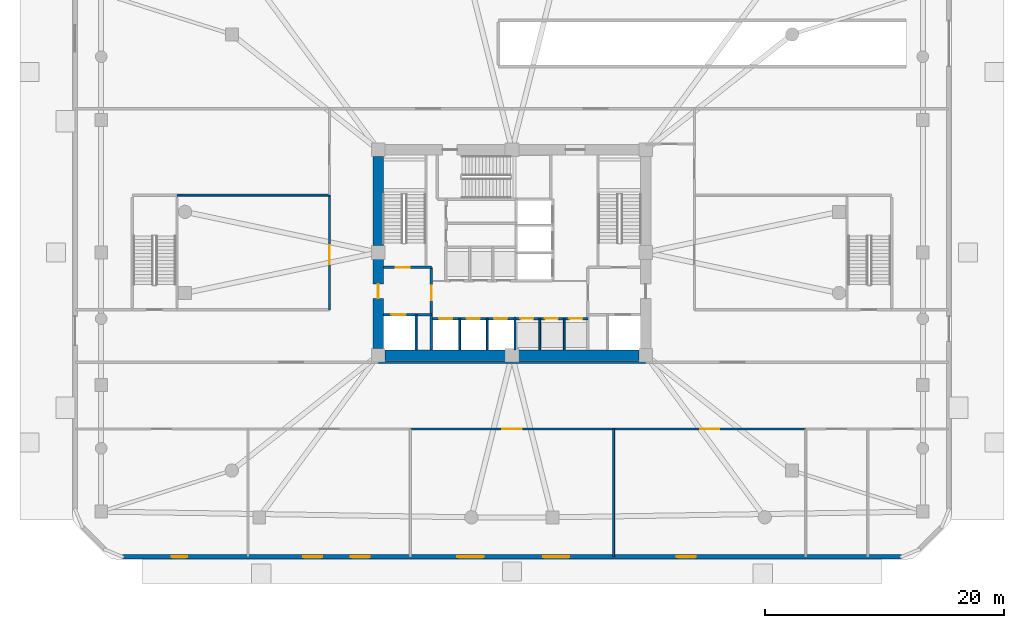
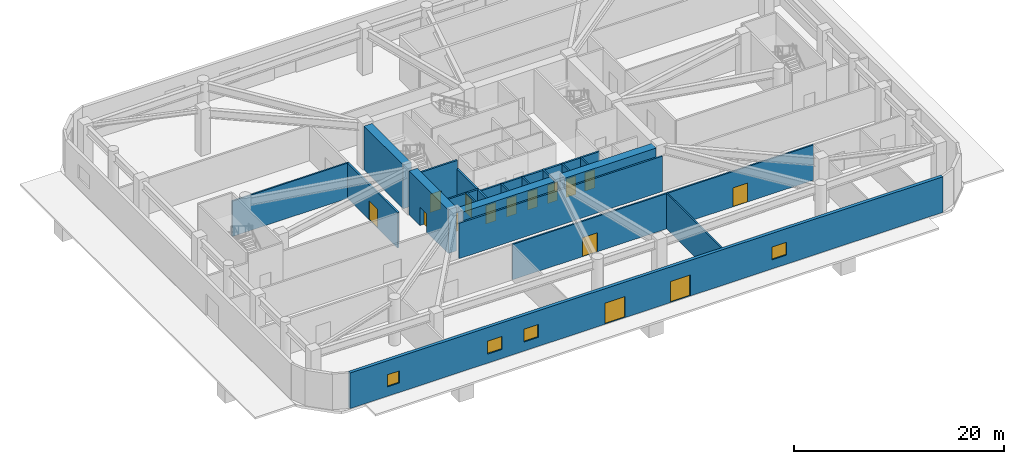
# One storey, part 3 of 9: 22 walls, 15 doors, 4 windows, 19 openings.
"""IFC4 building model written with IfcOpenShell, lengths in metres."""

from ifc_helpers import new_model, si_unit, derived_unit, direction, frame, frame_2d, origin, place, context, subcontext, project, spatial, rectangle, extrude, material, layer, layer_set, type_object, element, fill, save


model = new_model("IFC4")

# Units and contexts
model_context = context("Model", 3, precision=1e-05, world=origin(), true_north=direction((0.0, 1.0)))
body_context = subcontext(model_context, "Body", "Model", "MODEL_VIEW")
ifc_project = project(units=[si_unit("LENGTHUNIT", "METRE"), si_unit("AREAUNIT", "SQUARE_METRE"), si_unit("VOLUMEUNIT", "CUBIC_METRE"), si_unit("PLANEANGLEUNIT", "RADIAN"), si_unit("MASSUNIT", "GRAM", prefix="KILO"), derived_unit("THERMALTRANSMITTANCEUNIT", [(si_unit("POWERUNIT", "WATT"), 1), (si_unit("LENGTHUNIT", "METRE"), -2), (si_unit("THERMODYNAMICTEMPERATUREUNIT", "KELVIN"), -1)])], contexts=[model_context])

# Site, building, storey
site_placement = place(None, origin())
site = spatial("IfcSite", under=ifc_project, at=site_placement, CompositionType="ELEMENT")
building_placement = place(site_placement, origin())
building = spatial("IfcBuilding", under=site, at=building_placement, Name="Koralith Skygarden Medical Center", CompositionType="ELEMENT")
storey_placement = place(building_placement, origin())
storey = spatial("IfcBuildingStorey", under=building, at=storey_placement, Name="L00", CompositionType="ELEMENT", Elevation=0.0)

# Walls
ifc_material_1 = material(Name="Gypsum Board Partition")
ifc_layer_1 = layer(ifc_material_1, 0.14990234375)
ifc_layer_set_1 = layer_set([ifc_layer_1], Name="Gypsum Board Partition")
wall_type_1 = type_object("IfcWallType", Name="Clinical Acoustic Partition 150", PredefinedType="PARTITIONING", material=ifc_layer_set_1)
wall_1_placement = place(storey_placement, frame((45.510009765625, 0.43994140625, 0.0), z_axis=(0.0, 0.0, 1.0), x_axis=(0.0, 1.0, 0.0)))
element("IfcWall", 1, at=wall_1_placement, inside=storey, type_object=wall_type_1, Name="L00 Clinical Acoustic Partition 150 W-L00-SP-3", PredefinedType="PARTITIONING", context=body_context, shape_type="SweptSolid", body=[
    extrude(rectangle(XDim=10.68017578125, YDim=0.14990234375, at=frame_2d((5.340087890625, 0.0))), origin(), (0.0, 0.0, 1.0), 4.110107421875),
])
ifc_layer_2 = layer(ifc_material_1, 0.1650390625)
ifc_layer_set_2 = layer_set([ifc_layer_2], Name="Gypsum Board Partition")
wall_type_2 = type_object("IfcWallType", Name="Clinical Corridor Partition 165", PredefinedType="PARTITIONING", material=ifc_layer_set_2)
wall_2_placement = place(storey_placement, frame((8.949951171875, 30.699951171875, 0.0), z_axis=(0.0, 0.0, 1.0), x_axis=(1.0, 0.0, 0.0)))
element("IfcWall", 2, at=wall_2_placement, inside=storey, type_object=wall_type_2, Name="L00 Clinical Corridor Partition 165 W-L00-W30-IN", PredefinedType="PARTITIONING", context=body_context, shape_type="SweptSolid", body=[
    extrude(rectangle(XDim=12.77001953125, YDim=0.1650390625, at=frame_2d((6.385009765625, 0.0))), origin(), (0.0, 0.0, 1.0), 4.110107421875),
])

# Wall, opening, door
wall_3_placement = place(storey_placement, frame((28.489990234375, 11.1201171875, 0.0), z_axis=(0.0, 0.0, 1.0), x_axis=(1.0, 0.0, 0.0)))
wall_3 = element("IfcWall", 3, at=wall_3_placement, inside=storey, type_object=wall_type_2, Name="L00 Clinical Corridor Partition 165 W-L00-SR-ATR", PredefinedType="PARTITIONING", context=body_context, shape_type="SweptSolid", body=[
    extrude(rectangle(XDim=17.02001953125, YDim=0.1650390625, at=frame_2d((8.510009765625, 0.0))), origin(), (0.0, 0.0, 1.0), 4.110107421875),
])
opening_1_placement = place(wall_3_placement, frame((7.7099609375, 0.0, 0.0)))
opening_1 = element("IfcOpeningElement", 4, at=opening_1_placement, cuts=wall_3, Name="Opening D-DBL", PredefinedType="OPENING", context=body_context, shape_type="SweptSolid", body=[
    extrude(rectangle(XDim=1.60009765625, YDim=2.199951171875, at=frame_2d((0.800048828125, 1.10009765625))), frame((0.0, 0.092529296875, 0.0), z_axis=(0.0, -1.0, 0.0), x_axis=(1.0, 0.0, 0.0)), (0.0, 0.0, 1.0), 0.18505859375),
])
ifc_material_2 = material(Name="Aluminium 6063-T6", Category="aluminium")
door_type_1 = type_object("IfcDoorType", Name="Double Clinical Suite Door D-DBL 1600", OperationType="NOTDEFINED", PredefinedType="DOOR", material=ifc_material_2)
door_1_placement = place(opening_1_placement, frame((1.60009765625, 0.0, 0.0), z_axis=(0.0, 0.0, 1.0), x_axis=(-1.0, 0.0, 0.0)))
door_1 = element("IfcDoor", 5, at=door_1_placement, inside=storey, type_object=door_type_1, Name="L00 Hospital Main Entrance Atrium and Reception Door", OperationType="DOUBLE_DOOR_SINGLE_SWING", OverallHeight=2.199951171875, OverallWidth=1.60009765625, PredefinedType="DOOR", context=body_context, shape_type="SweptSolid", body=[
    extrude(rectangle(XDim=1.60009765625, YDim=2.199951171875, at=frame_2d((0.800048828125, 1.10009765625))), frame((0.0, 0.02490234375, 0.0), z_axis=(0.0, -1.0, 0.0), x_axis=(1.0, 0.0, 0.0)), (0.0, 0.0, 1.0), 0.050048828125),
])
fill(opening_1, door_1)

wall_4_placement = place(storey_placement, frame((45.510009765625, 11.1201171875, 0.0), z_axis=(0.0, 0.0, 1.0), x_axis=(1.0, 0.0, 0.0)))
wall_4 = element("IfcWall", 6, at=wall_4_placement, inside=storey, type_object=wall_type_2, Name="L00 Clinical Corridor Partition 165 W-L00-SR-ED2", PredefinedType="PARTITIONING", context=body_context, shape_type="SweptSolid", body=[
    extrude(rectangle(XDim=16.090087890625, YDim=0.1650390625, at=frame_2d((8.044921875, 0.0))), origin(), (0.0, 0.0, 1.0), 4.110107421875),
])
opening_2_placement = place(wall_4_placement, frame((7.2451171875, 0.0, 0.0)))
opening_2 = element("IfcOpeningElement", 7, at=opening_2_placement, cuts=wall_4, Name="Opening D-DBL", PredefinedType="OPENING", context=body_context, shape_type="SweptSolid", body=[
    extrude(rectangle(XDim=1.60009765625, YDim=2.199951171875, at=frame_2d((0.800048828125, 1.10009765625))), frame((0.0, 0.092529296875, 0.0), z_axis=(0.0, -1.0, 0.0), x_axis=(1.0, 0.0, 0.0)), (0.0, 0.0, 1.0), 0.18505859375),
])
door_2_placement = place(opening_2_placement, frame((1.60009765625, 0.0, 0.0), z_axis=(0.0, 0.0, 1.0), x_axis=(-1.0, 0.0, 0.0)))
door_2 = element("IfcDoor", 8, at=door_2_placement, inside=storey, type_object=door_type_1, Name="L00 Emergency Trauma Resuscitation Hall 2 Door", OperationType="DOUBLE_DOOR_SINGLE_SWING", OverallHeight=2.199951171875, OverallWidth=1.60009765625, PredefinedType="DOOR", context=body_context, shape_type="SweptSolid", body=[
    extrude(rectangle(XDim=1.60009765625, YDim=2.199951171875, at=frame_2d((0.800048828125, 1.10009765625))), frame((0.0, 0.02490234375, 0.0), z_axis=(0.0, -1.0, 0.0), x_axis=(1.0, 0.0, 0.0)), (0.0, 0.0, 1.0), 0.050048828125),
])
fill(opening_2, door_2)

ifc_layer_3 = layer(ifc_material_1, 0.199951171875)
ifc_layer_set_3 = layer_set([ifc_layer_3], Name="Gypsum Board Partition")
wall_type_3 = type_object("IfcWallType", Name="Fire Shaft Wall 200", PredefinedType="SOLIDWALL", material=ifc_layer_set_3)
wall_5_placement = place(storey_placement, frame((26.25, 20.699951171875, 0.0), z_axis=(0.0, 0.0, 1.0), x_axis=(1.0, 0.0, 0.0)))
wall_5 = element("IfcWall", 9, at=wall_5_placement, inside=storey, type_object=wall_type_3, Name="L00 Fire Shaft Wall 200 W-CORE-L00-FF1-N", PredefinedType="SOLIDWALL", context=body_context, shape_type="SweptSolid", body=[
    extrude(rectangle(XDim=4.0, YDim=0.199951171875, at=frame_2d((2.0, 0.0))), origin(), (0.0, 0.0, 1.0), 4.110107421875),
])
opening_3_placement = place(wall_5_placement, frame((0.64990234375, 0.0, 0.0)))
opening_3 = element("IfcOpeningElement", 10, at=opening_3_placement, cuts=wall_5, Name="Opening LD-FF", PredefinedType="OPENING", context=body_context, shape_type="SweptSolid", body=[
    extrude(rectangle(XDim=1.199951171875, YDim=2.14990234375, at=frame_2d((0.60009765625, 1.074951171875))), frame((0.0, 0.10986328125, 0.0), z_axis=(0.0, -1.0, 0.0), x_axis=(1.0, 0.0, 0.0)), (0.0, 0.0, 1.0), 0.219970703125),
])
ifc_material_3 = material(Name="Steel ASTM A500 Grade C", Category="steel")
door_type_2 = type_object("IfcDoorType", Name="Fire Lift Sliding Landing Door LD-FF 1200", OperationType="NOTDEFINED", PredefinedType="DOOR", material=ifc_material_3)
door_3_placement = place(opening_3_placement, origin())
door_3 = element("IfcDoor", 11, at=door_3_placement, inside=storey, type_object=door_type_2, Name="L00 Fire Service Elevator FF1 Landing Door", OperationType="SLIDING_TO_LEFT", OverallHeight=2.14990234375, OverallWidth=1.199951171875, PredefinedType="DOOR", context=body_context, shape_type="SweptSolid", body=[
    extrude(rectangle(XDim=1.199951171875, YDim=2.14990234375, at=frame_2d((0.60009765625, 1.074951171875))), frame((0.0, 0.02490234375, 0.0), z_axis=(0.0, -1.0, 0.0), x_axis=(1.0, 0.0, 0.0)), (0.0, 0.0, 1.0), 0.050048828125),
])
fill(opening_3, door_3)

wall_6_placement = place(storey_placement, frame((30.25, 17.75, 0.0), z_axis=(0.0, 0.0, 1.0), x_axis=(0.0, 1.0, 0.0)))
wall_6 = element("IfcWall", 12, at=wall_6_placement, inside=storey, type_object=wall_type_3, Name="L00 Fire Shaft Wall 200 W-CORE-L00-FSAEW-E", PredefinedType="SOLIDWALL", context=body_context, shape_type="SweptSolid", body=[
    extrude(rectangle(XDim=6.89990234375, YDim=0.199951171875, at=frame_2d((3.449951171875, 0.0))), origin(), (0.0, 0.0, 1.0), 4.110107421875),
])
opening_4_placement = place(wall_6_placement, frame((4.14990234375, 0.0, 0.0)))
opening_4 = element("IfcOpeningElement", 13, at=opening_4_placement, cuts=wall_6, Name="Opening D-ST60", PredefinedType="OPENING", context=body_context, shape_type="SweptSolid", body=[
    extrude(rectangle(XDim=1.199951171875, YDim=2.14990234375, at=frame_2d((0.60009765625, 1.074951171875))), frame((0.0, 0.10986328125, 0.0), z_axis=(0.0, -1.0, 0.0), x_axis=(1.0, 0.0, 0.0)), (0.0, 0.0, 1.0), 0.219970703125),
])
door_type_3 = type_object("IfcDoorType", Name="Smokeproof Stair Fire Door FD60S 1200", OperationType="NOTDEFINED", PredefinedType="DOOR", material=ifc_material_3)
door_4_placement = place(opening_4_placement, origin())
door_4 = element("IfcDoor", 14, at=door_4_placement, inside=storey, type_object=door_type_3, Name="L00 West Firefighting Lobby Inner Fire Door", OperationType="SINGLE_SWING_LEFT", OverallHeight=2.14990234375, OverallWidth=1.199951171875, PredefinedType="DOOR", context=body_context, shape_type="SweptSolid", body=[
    extrude(rectangle(XDim=1.199951171875, YDim=2.14990234375, at=frame_2d((0.60009765625, 1.074951171875))), frame((0.0, 0.02490234375, 0.0), z_axis=(0.0, -1.0, 0.0), x_axis=(1.0, 0.0, 0.0)), (0.0, 0.0, 1.0), 0.050048828125),
])
fill(opening_4, door_4)

# Wall, openings, doors
wall_7_placement = place(storey_placement, frame((30.25, 20.360107421875, 0.0), z_axis=(0.0, 0.0, 1.0), x_axis=(1.0, 0.0, 0.0)))
wall_7 = element("IfcWall", 15, at=wall_7_placement, inside=storey, type_object=wall_type_3, Name="L00 Fire Shaft Wall 200 W-CORE-L00-PL-N", PredefinedType="SOLIDWALL", context=body_context, shape_type="SweptSolid", body=[
    extrude(rectangle(XDim=7.0, YDim=0.199951171875, at=frame_2d((3.5, 0.0))), origin(), (0.0, 0.0, 1.0), 4.110107421875),
])
opening_5_placement = place(wall_7_placement, frame((0.64990234375, 0.0, 0.0)))
opening_5 = element("IfcOpeningElement", 16, at=opening_5_placement, cuts=wall_7, Name="Opening LD-P", PredefinedType="OPENING", context=body_context, shape_type="SweptSolid", body=[
    extrude(rectangle(XDim=1.10009765625, YDim=2.14990234375, at=frame_2d((0.550048828125, 1.074951171875))), frame((0.0, 0.10986328125, 0.0), z_axis=(0.0, -1.0, 0.0), x_axis=(1.0, 0.0, 0.0)), (0.0, 0.0, 1.0), 0.219970703125),
])
opening_6_placement = place(wall_7_placement, frame((2.949951171875, 0.0, 0.0)))
opening_6 = element("IfcOpeningElement", 17, at=opening_6_placement, cuts=wall_7, Name="Opening LD-P", PredefinedType="OPENING", context=body_context, shape_type="SweptSolid", body=[
    extrude(rectangle(XDim=1.10009765625, YDim=2.14990234375, at=frame_2d((0.550048828125, 1.074951171875))), frame((0.0, 0.10986328125, 0.0), z_axis=(0.0, -1.0, 0.0), x_axis=(1.0, 0.0, 0.0)), (0.0, 0.0, 1.0), 0.219970703125),
])
opening_7_placement = place(wall_7_placement, frame((5.25, 0.0, 0.0)))
opening_7 = element("IfcOpeningElement", 18, at=opening_7_placement, cuts=wall_7, Name="Opening LD-P", PredefinedType="OPENING", context=body_context, shape_type="SweptSolid", body=[
    extrude(rectangle(XDim=1.10009765625, YDim=2.14990234375, at=frame_2d((0.550048828125, 1.074951171875))), frame((0.0, 0.10986328125, 0.0), z_axis=(0.0, -1.0, 0.0), x_axis=(1.0, 0.0, 0.0)), (0.0, 0.0, 1.0), 0.219970703125),
])
door_type_4 = type_object("IfcDoorType", Name="Passenger Lift Sliding Landing Door LD-P 1100", OperationType="NOTDEFINED", PredefinedType="DOOR", material=ifc_material_3)
door_5_placement = place(opening_5_placement, origin())
door_5 = element("IfcDoor", 19, at=door_5_placement, inside=storey, type_object=door_type_4, Name="L00 Passenger Elevator PL1 Landing Door", OperationType="SLIDING_TO_LEFT", OverallHeight=2.14990234375, OverallWidth=1.10009765625, PredefinedType="DOOR", context=body_context, shape_type="SweptSolid", body=[
    extrude(rectangle(XDim=1.10009765625, YDim=2.14990234375, at=frame_2d((0.550048828125, 1.074951171875))), frame((0.0, 0.02490234375, 0.0), z_axis=(0.0, -1.0, 0.0), x_axis=(1.0, 0.0, 0.0)), (0.0, 0.0, 1.0), 0.050048828125),
])
fill(opening_5, door_5)
door_6_placement = place(opening_6_placement, origin())
door_6 = element("IfcDoor", 20, at=door_6_placement, inside=storey, type_object=door_type_4, Name="L00 Passenger Elevator PL2 Landing Door", OperationType="SLIDING_TO_LEFT", OverallHeight=2.14990234375, OverallWidth=1.10009765625, PredefinedType="DOOR", context=body_context, shape_type="SweptSolid", body=[
    extrude(rectangle(XDim=1.10009765625, YDim=2.14990234375, at=frame_2d((0.550048828125, 1.074951171875))), frame((0.0, 0.02490234375, 0.0), z_axis=(0.0, -1.0, 0.0), x_axis=(1.0, 0.0, 0.0)), (0.0, 0.0, 1.0), 0.050048828125),
])
fill(opening_6, door_6)
door_7_placement = place(opening_7_placement, origin())
door_7 = element("IfcDoor", 21, at=door_7_placement, inside=storey, type_object=door_type_4, Name="L00 Passenger Elevator PL3 Landing Door", OperationType="SLIDING_TO_LEFT", OverallHeight=2.14990234375, OverallWidth=1.10009765625, PredefinedType="DOOR", context=body_context, shape_type="SweptSolid", body=[
    extrude(rectangle(XDim=1.10009765625, YDim=2.14990234375, at=frame_2d((0.550048828125, 1.074951171875))), frame((0.0, 0.02490234375, 0.0), z_axis=(0.0, -1.0, 0.0), x_axis=(1.0, 0.0, 0.0)), (0.0, 0.0, 1.0), 0.050048828125),
])
fill(opening_7, door_7)

wall_8_placement = place(storey_placement, frame((37.25, 20.360107421875, 0.0), z_axis=(0.0, 0.0, 1.0), x_axis=(1.0, 0.0, 0.0)))
wall_8 = element("IfcWall", 22, at=wall_8_placement, inside=storey, type_object=wall_type_3, Name="L00 Fire Shaft Wall 200 W-CORE-L00-PM-N", PredefinedType="SOLIDWALL", context=body_context, shape_type="SweptSolid", body=[
    extrude(rectangle(XDim=6.10009765625, YDim=0.199951171875, at=frame_2d((3.050048828125, 0.0))), origin(), (0.0, 0.0, 1.0), 4.110107421875),
])
opening_8_placement = place(wall_8_placement, frame((0.449951171875, 0.0, 0.0)))
opening_8 = element("IfcOpeningElement", 23, at=opening_8_placement, cuts=wall_8, Name="Opening LD-P", PredefinedType="OPENING", context=body_context, shape_type="SweptSolid", body=[
    extrude(rectangle(XDim=1.10009765625, YDim=2.14990234375, at=frame_2d((0.550048828125, 1.074951171875))), frame((0.0, 0.10986328125, 0.0), z_axis=(0.0, -1.0, 0.0), x_axis=(1.0, 0.0, 0.0)), (0.0, 0.0, 1.0), 0.219970703125),
])
opening_9_placement = place(wall_8_placement, frame((2.5, 0.0, 0.0)))
opening_9 = element("IfcOpeningElement", 24, at=opening_9_placement, cuts=wall_8, Name="Opening LD-P", PredefinedType="OPENING", context=body_context, shape_type="SweptSolid", body=[
    extrude(rectangle(XDim=1.10009765625, YDim=2.14990234375, at=frame_2d((0.550048828125, 1.074951171875))), frame((0.0, 0.10986328125, 0.0), z_axis=(0.0, -1.0, 0.0), x_axis=(1.0, 0.0, 0.0)), (0.0, 0.0, 1.0), 0.219970703125),
])
opening_10_placement = place(wall_8_placement, frame((4.550048828125, 0.0, 0.0)))
opening_10 = element("IfcOpeningElement", 25, at=opening_10_placement, cuts=wall_8, Name="Opening LD-P", PredefinedType="OPENING", context=body_context, shape_type="SweptSolid", body=[
    extrude(rectangle(XDim=1.10009765625, YDim=2.14990234375, at=frame_2d((0.550048828125, 1.074951171875))), frame((0.0, 0.10986328125, 0.0), z_axis=(0.0, -1.0, 0.0), x_axis=(1.0, 0.0, 0.0)), (0.0, 0.0, 1.0), 0.219970703125),
])
door_8_placement = place(opening_8_placement, origin())
door_8 = element("IfcDoor", 26, at=door_8_placement, inside=storey, type_object=door_type_4, Name="L00 Passenger Elevator PM1 Landing Door", OperationType="SLIDING_TO_LEFT", OverallHeight=2.14990234375, OverallWidth=1.10009765625, PredefinedType="DOOR", context=body_context, shape_type="SweptSolid", body=[
    extrude(rectangle(XDim=1.10009765625, YDim=2.14990234375, at=frame_2d((0.550048828125, 1.074951171875))), frame((0.0, 0.02490234375, 0.0), z_axis=(0.0, -1.0, 0.0), x_axis=(1.0, 0.0, 0.0)), (0.0, 0.0, 1.0), 0.050048828125),
])
fill(opening_8, door_8)
door_9_placement = place(opening_9_placement, origin())
door_9 = element("IfcDoor", 27, at=door_9_placement, inside=storey, type_object=door_type_4, Name="L00 Passenger Elevator PM2 Landing Door", OperationType="SLIDING_TO_LEFT", OverallHeight=2.14990234375, OverallWidth=1.10009765625, PredefinedType="DOOR", context=body_context, shape_type="SweptSolid", body=[
    extrude(rectangle(XDim=1.10009765625, YDim=2.14990234375, at=frame_2d((0.550048828125, 1.074951171875))), frame((0.0, 0.02490234375, 0.0), z_axis=(0.0, -1.0, 0.0), x_axis=(1.0, 0.0, 0.0)), (0.0, 0.0, 1.0), 0.050048828125),
])
fill(opening_9, door_9)
door_10_placement = place(opening_10_placement, origin())
door_10 = element("IfcDoor", 28, at=door_10_placement, inside=storey, type_object=door_type_4, Name="L00 Passenger Elevator PM3 Landing Door", OperationType="SLIDING_TO_LEFT", OverallHeight=2.14990234375, OverallWidth=1.10009765625, PredefinedType="DOOR", context=body_context, shape_type="SweptSolid", body=[
    extrude(rectangle(XDim=1.10009765625, YDim=2.14990234375, at=frame_2d((0.550048828125, 1.074951171875))), frame((0.0, 0.02490234375, 0.0), z_axis=(0.0, -1.0, 0.0), x_axis=(1.0, 0.0, 0.0)), (0.0, 0.0, 1.0), 0.050048828125),
])
fill(opening_10, door_10)

# Wall
wall_9_placement = place(storey_placement, frame((25.800048828125, 16.719970703125, 0.0), z_axis=(0.0, 0.0, 1.0), x_axis=(1.0, 0.0, 0.0)))
element("IfcWall", 29, at=wall_9_placement, inside=storey, type_object=wall_type_3, Name="L00 Fire Shaft Wall 200 W-L00-EXPASS-SC", PredefinedType="SOLIDWALL", context=body_context, shape_type="SweptSolid", body=[
    extrude(rectangle(XDim=22.39990234375, YDim=0.199951171875, at=frame_2d((11.199951171875, 0.0))), origin(), (0.0, 0.0, 1.0), 4.110107421875),
])

# Wall, opening, door
wall_10_placement = place(storey_placement, frame((21.719970703125, 21.10009765625, 0.0), z_axis=(0.0, 0.0, 1.0), x_axis=(0.0, 1.0, 0.0)))
wall_10 = element("IfcWall", 30, at=wall_10_placement, inside=storey, type_object=wall_type_3, Name="L00 Fire Shaft Wall 200 W-L00-EXPASS-WW1", PredefinedType="SOLIDWALL", context=body_context, shape_type="SweptSolid", body=[
    extrude(rectangle(XDim=9.599853515625, YDim=0.199951171875, at=frame_2d((4.7998046875, 0.0))), origin(), (0.0, 0.0, 1.0), 4.110107421875),
])
opening_11_placement = place(wall_10_placement, frame((3.800048828125, 0.0, 0.0)))
opening_11 = element("IfcOpeningElement", 31, at=opening_11_placement, cuts=wall_10, Name="Opening D-DBL", PredefinedType="OPENING", context=body_context, shape_type="SweptSolid", body=[
    extrude(rectangle(XDim=1.60009765625, YDim=2.199951171875, at=frame_2d((0.800048828125, 1.10009765625))), frame((0.0, 0.10986328125, 0.0), z_axis=(0.0, -1.0, 0.0), x_axis=(1.0, 0.0, 0.0)), (0.0, 0.0, 1.0), 0.219970703125),
])
door_11_placement = place(opening_11_placement, frame((1.60009765625, 0.0, 0.0), z_axis=(0.0, 0.0, 1.0), x_axis=(-1.0, 0.0, 0.0)))
door_11 = element("IfcDoor", 32, at=door_11_placement, inside=storey, type_object=door_type_1, Name="L00 Emergency Triage Observation Door", OperationType="DOUBLE_DOOR_SINGLE_SWING", OverallHeight=2.199951171875, OverallWidth=1.60009765625, PredefinedType="DOOR", context=body_context, shape_type="SweptSolid", body=[
    extrude(rectangle(XDim=1.60009765625, YDim=2.199951171875, at=frame_2d((0.800048828125, 1.10009765625))), frame((0.0, 0.02490234375, 0.0), z_axis=(0.0, -1.0, 0.0), x_axis=(1.0, 0.0, 0.0)), (0.0, 0.0, 1.0), 0.050048828125),
])
fill(opening_11, door_11)

# Walls
ifc_material_4 = material(Name="Concrete C70/85", Category="concrete")
ifc_layer_4 = layer(ifc_material_4, 0.89990234375)
ifc_layer_set_4 = layer_set([ifc_layer_4], Name="Concrete C70/85")
wall_type_4 = type_object("IfcWallType", Name="Lower Core Shear Wall 900", PredefinedType="SHEAR", material=ifc_layer_set_4)
for number, where, z_axis, x_axis, name in (
    (33, (26.364990234375, 17.300048828125, 0.0), (0.0, 0.0, 1.0), (1.0, 0.0, 0.0), "L00 Core Shear Wall Segment 1"),
    (34, (37.56494140625, 17.300048828125, 0.0), (0.0, 0.0, 1.0), (1.0, 0.0, 0.0), "L00 Core Shear Wall Segment 2"),
):
    element("IfcWall", number, at=place(storey_placement, frame(where, z_axis=z_axis, x_axis=x_axis)), inside=storey, type_object=wall_type_4, Name=name, PredefinedType="SHEAR", context=body_context, shape_type="SweptSolid", body=[
        extrude(rectangle(XDim=10.070068359375, YDim=0.89990234375, at=frame_2d((5.03515625, 0.0))), origin(), (0.0, 0.0, 1.0), 5.10009765625),
    ])
wall_11_placement = place(storey_placement, frame((25.800048828125, 33.93505859375, 0.0), z_axis=(0.0, 0.0, 1.0), x_axis=(0.0, -1.0, 0.0)))
element("IfcWall", 35, at=wall_11_placement, inside=storey, type_object=wall_type_4, Name="L00 Core Shear Wall Segment 7", PredefinedType="SHEAR", context=body_context, shape_type="SweptSolid", body=[
    extrude(rectangle(XDim=7.469970703125, YDim=0.89990234375, at=frame_2d((3.73486328125, 0.0))), origin(), (0.0, 0.0, 1.0), 5.10009765625),
])

# Wall, opening, door
wall_12_placement = place(storey_placement, frame((25.800048828125, 25.3349609375, 0.0), z_axis=(0.0, 0.0, 1.0), x_axis=(0.0, -1.0, 0.0)))
wall_12 = element("IfcWall", 36, at=wall_12_placement, inside=storey, type_object=wall_type_4, Name="L00 Core Shear Wall Segment 8", PredefinedType="SHEAR", context=body_context, shape_type="SweptSolid", body=[
    extrude(rectangle(XDim=7.469970703125, YDim=0.89990234375, at=frame_2d((3.73486328125, 0.0))), origin(), (0.0, 0.0, 1.0), 5.10009765625),
])
opening_12_placement = place(wall_12_placement, frame((2.0849609375, 0.0, 0.0)))
opening_12 = element("IfcOpeningElement", 37, at=opening_12_placement, cuts=wall_12, Name="Opening D-ST60", PredefinedType="OPENING", context=body_context, shape_type="SweptSolid", body=[
    extrude(rectangle(XDim=1.199951171875, YDim=2.14990234375, at=frame_2d((0.60009765625, 1.074951171875))), frame((0.0, 0.4599609375, 0.0), z_axis=(0.0, -1.0, 0.0), x_axis=(1.0, 0.0, 0.0)), (0.0, 0.0, 1.0), 0.919921875),
])
door_12_placement = place(opening_12_placement, frame((1.199951171875, 0.0, 0.0), z_axis=(0.0, 0.0, 1.0), x_axis=(-1.0, 0.0, 0.0)))
door_12 = element("IfcDoor", 38, at=door_12_placement, inside=storey, type_object=door_type_3, Name="L00 West Corridor to Firefighting Lobby Door", OperationType="SINGLE_SWING_LEFT", OverallHeight=2.14990234375, OverallWidth=1.199951171875, PredefinedType="DOOR", context=body_context, shape_type="SweptSolid", body=[
    extrude(rectangle(XDim=1.199951171875, YDim=2.14990234375, at=frame_2d((0.60009765625, 1.074951171875))), frame((0.0, 0.02490234375, 0.0), z_axis=(0.0, -1.0, 0.0), x_axis=(1.0, 0.0, 0.0)), (0.0, 0.0, 1.0), 0.050048828125),
])
fill(opening_12, door_12)

# Wall, openings, windows, doors
ifc_material_5 = material(Name="Warm Oolitic Limestone Cladding", Category="masonry")
ifc_layer_5 = layer(ifc_material_5, 0.35009765625)
ifc_layer_set_5 = layer_set([ifc_layer_5], Name="Warm Oolitic Limestone Cladding")
wall_type_5 = type_object("IfcWallType", Name="Podium Station Limestone Facade Wall 350", PredefinedType="SOLIDWALL", material=ifc_layer_set_5)
wall_13_placement = place(storey_placement, frame((4.37890625, 0.419921875, 0.0), z_axis=(0.0, 0.0, 1.0), x_axis=(1.0, 0.0, 0.0)))
wall_13 = element("IfcWall", 39, at=wall_13_placement, inside=storey, type_object=wall_type_5, Name="L00 Podium Exterior Limestone Wall S", PredefinedType="SOLIDWALL", context=body_context, shape_type="SweptSolid", body=[
    extrude(rectangle(XDim=65.2421875, YDim=0.35009765625, at=frame_2d((32.62109375, 0.0))), origin(), (0.0, 0.0, 1.0), 4.139892578125),
])
opening_13_placement = place(wall_13_placement, frame((28.053955078125, 0.0, 0.0)))
opening_13 = element("IfcOpeningElement", 40, at=opening_13_placement, cuts=wall_13, Name="Opening EX-02", PredefinedType="OPENING", context=body_context, shape_type="SweptSolid", body=[
    extrude(rectangle(XDim=2.199951171875, YDim=2.449951171875, at=frame_2d((1.10009765625, 1.22509765625))), frame((0.0, 0.18505859375, 0.0), z_axis=(0.0, -1.0, 0.0), x_axis=(1.0, 0.0, 0.0)), (0.0, 0.0, 1.0), 0.3701171875),
])
opening_14_placement = place(wall_13_placement, frame((35.23095703125, 0.0, 0.0)))
opening_14 = element("IfcOpeningElement", 41, at=opening_14_placement, cuts=wall_13, Name="Opening EX-02", PredefinedType="OPENING", context=body_context, shape_type="SweptSolid", body=[
    extrude(rectangle(XDim=2.199951171875, YDim=2.449951171875, at=frame_2d((1.10009765625, 1.22509765625))), frame((0.0, 0.18505859375, 0.0), z_axis=(0.0, -1.0, 0.0), x_axis=(1.0, 0.0, 0.0)), (0.0, 0.0, 1.0), 0.3701171875),
])
opening_15_placement = place(wall_13_placement, frame((4.12109375, 0.0, 1.10009765625)))
opening_15 = element("IfcOpeningElement", 42, at=opening_15_placement, cuts=wall_13, Name="Opening W-10", PredefinedType="OPENING", context=body_context, shape_type="SweptSolid", body=[
    extrude(rectangle(XDim=1.300048828125, YDim=1.39990234375, at=frame_2d((0.64990234375, 0.699951171875))), frame((0.0, 0.18505859375, 0.0), z_axis=(0.0, -1.0, 0.0), x_axis=(1.0, 0.0, 0.0)), (0.0, 0.0, 1.0), 0.3701171875),
])
opening_16_placement = place(wall_13_placement, frame((15.12109375, 0.0, 1.050048828125)))
opening_16 = element("IfcOpeningElement", 43, at=opening_16_placement, cuts=wall_13, Name="Opening W-03", PredefinedType="OPENING", context=body_context, shape_type="SweptSolid", body=[
    extrude(rectangle(XDim=1.60009765625, YDim=1.5, at=frame_2d((0.800048828125, 0.75))), frame((0.0, 0.18505859375, 0.0), z_axis=(0.0, -1.0, 0.0), x_axis=(1.0, 0.0, 0.0)), (0.0, 0.0, 1.0), 0.3701171875),
])
opening_17_placement = place(wall_13_placement, frame((19.12109375, 0.0, 1.050048828125)))
opening_17 = element("IfcOpeningElement", 44, at=opening_17_placement, cuts=wall_13, Name="Opening W-03", PredefinedType="OPENING", context=body_context, shape_type="SweptSolid", body=[
    extrude(rectangle(XDim=1.60009765625, YDim=1.5, at=frame_2d((0.800048828125, 0.75))), frame((0.0, 0.18505859375, 0.0), z_axis=(0.0, -1.0, 0.0), x_axis=(1.0, 0.0, 0.0)), (0.0, 0.0, 1.0), 0.3701171875),
])
opening_18_placement = place(wall_13_placement, frame((46.4208984375, 0.0, 1.050048828125)))
opening_18 = element("IfcOpeningElement", 45, at=opening_18_placement, cuts=wall_13, Name="Opening W-03", PredefinedType="OPENING", context=body_context, shape_type="SweptSolid", body=[
    extrude(rectangle(XDim=1.60009765625, YDim=1.5, at=frame_2d((0.800048828125, 0.75))), frame((0.0, 0.18505859375, 0.0), z_axis=(0.0, -1.0, 0.0), x_axis=(1.0, 0.0, 0.0)), (0.0, 0.0, 1.0), 0.3701171875),
])
ifc_material_6 = material(Name="Clear Laminated Glass", Category="glass")
window_type_1 = type_object("IfcWindowType", Name="Fire Command Vision Window W-10 1300x1400", PartitioningType="SINGLE_PANEL", PredefinedType="WINDOW", material=ifc_material_6)
window_1_placement = place(opening_15_placement, origin())
window_1 = element("IfcWindow", 46, at=window_1_placement, inside=storey, type_object=window_type_1, Name="L00 Fire Command Vision Window", OverallHeight=1.39990234375, OverallWidth=1.300048828125, PartitioningType="SINGLE_PANEL", PredefinedType="WINDOW", context=body_context, shape_type="SweptSolid", body=[
    extrude(rectangle(XDim=1.300048828125, YDim=1.39990234375, at=frame_2d((0.64990234375, 0.699951171875))), frame((0.0, 0.030029296875, 0.0), z_axis=(0.0, -1.0, 0.0), x_axis=(1.0, 0.0, 0.0)), (0.0, 0.0, 1.0), 0.06005859375),
])
fill(opening_15, window_1)
door_type_5 = type_object("IfcDoorType", Name="Hospital Atrium Double Exit Door EX-02 2200", OperationType="NOTDEFINED", PredefinedType="DOOR", material=ifc_material_2)
door_13_placement = place(opening_13_placement, frame((2.199951171875, 0.0, 0.0), z_axis=(0.0, 0.0, 1.0), x_axis=(-1.0, 0.0, 0.0)))
door_13 = element("IfcDoor", 47, at=door_13_placement, inside=storey, type_object=door_type_5, Name="L00 South Main Atrium Final Exit Door 1", OperationType="DOUBLE_DOOR_SINGLE_SWING", OverallHeight=2.449951171875, OverallWidth=2.199951171875, PredefinedType="DOOR", context=body_context, shape_type="SweptSolid", body=[
    extrude(rectangle(XDim=2.199951171875, YDim=2.449951171875, at=frame_2d((1.10009765625, 1.22509765625))), frame((0.0, 0.02490234375, 0.0), z_axis=(0.0, -1.0, 0.0), x_axis=(1.0, 0.0, 0.0)), (0.0, 0.0, 1.0), 0.050048828125),
])
fill(opening_13, door_13)
door_14_placement = place(opening_14_placement, frame((2.199951171875, 0.0, 0.0), z_axis=(0.0, 0.0, 1.0), x_axis=(-1.0, 0.0, 0.0)))
door_14 = element("IfcDoor", 48, at=door_14_placement, inside=storey, type_object=door_type_5, Name="L00 South Main Atrium Final Exit Door 2", OperationType="DOUBLE_DOOR_SINGLE_SWING", OverallHeight=2.449951171875, OverallWidth=2.199951171875, PredefinedType="DOOR", context=body_context, shape_type="SweptSolid", body=[
    extrude(rectangle(XDim=2.199951171875, YDim=2.449951171875, at=frame_2d((1.10009765625, 1.22509765625))), frame((0.0, 0.02490234375, 0.0), z_axis=(0.0, -1.0, 0.0), x_axis=(1.0, 0.0, 0.0)), (0.0, 0.0, 1.0), 0.050048828125),
])
fill(opening_14, door_14)
window_type_2 = type_object("IfcWindowType", Name="Trauma Resuscitation Daylight Window W-03 1600x1500", PartitioningType="SINGLE_PANEL", PredefinedType="WINDOW", material=ifc_material_6)
window_2_placement = place(opening_16_placement, origin())
window_2 = element("IfcWindow", 49, at=window_2_placement, inside=storey, type_object=window_type_2, Name="L00 Emergency Trauma Window 1", OverallHeight=1.5, OverallWidth=1.60009765625, PartitioningType="SINGLE_PANEL", PredefinedType="WINDOW", context=body_context, shape_type="SweptSolid", body=[
    extrude(rectangle(XDim=1.60009765625, YDim=1.5, at=frame_2d((0.800048828125, 0.75))), frame((0.0, 0.030029296875, 0.0), z_axis=(0.0, -1.0, 0.0), x_axis=(1.0, 0.0, 0.0)), (0.0, 0.0, 1.0), 0.06005859375),
])
fill(opening_16, window_2)
window_3_placement = place(opening_17_placement, origin())
window_3 = element("IfcWindow", 50, at=window_3_placement, inside=storey, type_object=window_type_2, Name="L00 Emergency Trauma Window 2", OverallHeight=1.5, OverallWidth=1.60009765625, PartitioningType="SINGLE_PANEL", PredefinedType="WINDOW", context=body_context, shape_type="SweptSolid", body=[
    extrude(rectangle(XDim=1.60009765625, YDim=1.5, at=frame_2d((0.800048828125, 0.75))), frame((0.0, 0.030029296875, 0.0), z_axis=(0.0, -1.0, 0.0), x_axis=(1.0, 0.0, 0.0)), (0.0, 0.0, 1.0), 0.06005859375),
])
fill(opening_17, window_3)
window_4_placement = place(opening_18_placement, origin())
window_4 = element("IfcWindow", 51, at=window_4_placement, inside=storey, type_object=window_type_2, Name="L00 Emergency Trauma Window 3", OverallHeight=1.5, OverallWidth=1.60009765625, PartitioningType="SINGLE_PANEL", PredefinedType="WINDOW", context=body_context, shape_type="SweptSolid", body=[
    extrude(rectangle(XDim=1.60009765625, YDim=1.5, at=frame_2d((0.800048828125, 0.75))), frame((0.0, 0.030029296875, 0.0), z_axis=(0.0, -1.0, 0.0), x_axis=(1.0, 0.0, 0.0)), (0.0, 0.0, 1.0), 0.06005859375),
])
fill(opening_18, window_4)

# Walls
ifc_layer_6 = layer(ifc_material_1, 0.14990234375)
ifc_layer_set_6 = layer_set([ifc_layer_6], Name="Gypsum Board Partition")
wall_type_6 = type_object("IfcWallType", Name="Shaft Partition Wall 150", PredefinedType="PARTITIONING", material=ifc_layer_set_6)
wall_14_placement = place(storey_placement, frame((28.969970703125, 17.75, 0.0), z_axis=(0.0, 0.0, 1.0), x_axis=(0.0, 1.0, 0.0)))
element("IfcWall", 52, at=wall_14_placement, inside=storey, type_object=wall_type_6, Name="L00 Shaft Partition Wall 150 W-CORE-L00-RSRW-DIV", PredefinedType="PARTITIONING", context=body_context, shape_type="SweptSolid", body=[
    extrude(rectangle(XDim=2.949951171875, YDim=0.14990234375, at=frame_2d((1.47509765625, 0.0))), origin(), (0.0, 0.0, 1.0), 4.110107421875),
])
for number, where, z_axis, x_axis, name in (
    (53, (32.6201171875, 17.75, 0.0), (0.0, 0.0, 1.0), (0.0, 1.0, 0.0), "L00 Shaft Partition Wall 150 W-CORE-L00-PL-D1"),
    (54, (34.919921875, 17.75, 0.0), (0.0, 0.0, 1.0), (0.0, 1.0, 0.0), "L00 Shaft Partition Wall 150 W-CORE-L00-PL-D2"),
    (55, (39.320068359375, 17.75, 0.0), (0.0, 0.0, 1.0), (0.0, 1.0, 0.0), "L00 Shaft Partition Wall 150 W-CORE-L00-PM-D1"),
    (56, (41.3701171875, 17.75, 0.0), (0.0, 0.0, 1.0), (0.0, 1.0, 0.0), "L00 Shaft Partition Wall 150 W-CORE-L00-PM-D2"),
):
    element("IfcWall", number, at=place(storey_placement, frame(where, z_axis=z_axis, x_axis=x_axis)), inside=storey, type_object=wall_type_6, Name=name, PredefinedType="PARTITIONING", context=body_context, shape_type="SweptSolid", body=[
        extrude(rectangle(XDim=2.610107421875, YDim=0.14990234375, at=frame_2d((1.30517578125, 0.0))), origin(), (0.0, 0.0, 1.0), 4.110107421875),
    ])
wall_15_placement = place(storey_placement, frame((37.25, 17.75, 0.0), z_axis=(0.0, 0.0, 1.0), x_axis=(0.0, 1.0, 0.0)))
element("IfcWall", 57, at=wall_15_placement, inside=storey, type_object=wall_type_6, Name="L00 Shaft Partition Wall 150 W-CORE-L00-PL-PM-SEP", PredefinedType="PARTITIONING", context=body_context, shape_type="SweptSolid", body=[
    extrude(rectangle(XDim=2.72998046875, YDim=0.14990234375, at=frame_2d((1.364990234375, 0.0))), origin(), (0.0, 0.0, 1.0), 4.110107421875),
])

# Wall, opening, door
ifc_material_7 = material(Name="Concrete C45/55", Category="concrete")
ifc_layer_7 = layer(ifc_material_7, 0.199951171875)
ifc_layer_set_7 = layer_set([ifc_layer_7], Name="Concrete C45/55")
wall_type_7 = type_object("IfcWallType", Name="Structural Stair Shaft Wall 200", PredefinedType="SHEAR", material=ifc_layer_set_7)
wall_16_placement = place(storey_placement, frame((26.25, 24.64990234375, 0.0), z_axis=(0.0, 0.0, 1.0), x_axis=(1.0, 0.0, 0.0)))
wall_16 = element("IfcWall", 58, at=wall_16_placement, inside=storey, type_object=wall_type_7, Name="L00 Structural Stair Shaft Wall 200 W-CORE-L00-ST1-S", PredefinedType="SHEAR", context=body_context, shape_type="SweptSolid", body=[
    extrude(rectangle(XDim=4.0, YDim=0.199951171875, at=frame_2d((2.0, 0.0))), origin(), (0.0, 0.0, 1.0), 5.10009765625),
])
opening_19_placement = place(wall_16_placement, frame((1.0, 0.0, 0.0)))
opening_19 = element("IfcOpeningElement", 59, at=opening_19_placement, cuts=wall_16, Name="Opening D-ST60", PredefinedType="OPENING", context=body_context, shape_type="SweptSolid", body=[
    extrude(rectangle(XDim=1.199951171875, YDim=2.14990234375, at=frame_2d((0.60009765625, 1.074951171875))), frame((0.0, 0.10986328125, 0.0), z_axis=(0.0, -1.0, 0.0), x_axis=(1.0, 0.0, 0.0)), (0.0, 0.0, 1.0), 0.219970703125),
])
door_15_placement = place(opening_19_placement, frame((1.199951171875, 0.0, 0.0), z_axis=(0.0, 0.0, 1.0), x_axis=(-1.0, 0.0, 0.0)))
door_15 = element("IfcDoor", 60, at=door_15_placement, inside=storey, type_object=door_type_3, Name="L00 Exit Stair ST1 Fire Door", OperationType="SINGLE_SWING_LEFT", OverallHeight=2.14990234375, OverallWidth=1.199951171875, PredefinedType="DOOR", context=body_context, shape_type="SweptSolid", body=[
    extrude(rectangle(XDim=1.199951171875, YDim=2.14990234375, at=frame_2d((0.60009765625, 1.074951171875))), frame((0.0, 0.02490234375, 0.0), z_axis=(0.0, -1.0, 0.0), x_axis=(1.0, 0.0, 0.0)), (0.0, 0.0, 1.0), 0.050048828125),
])
fill(opening_19, door_15)

save(model, "model.ifc")
